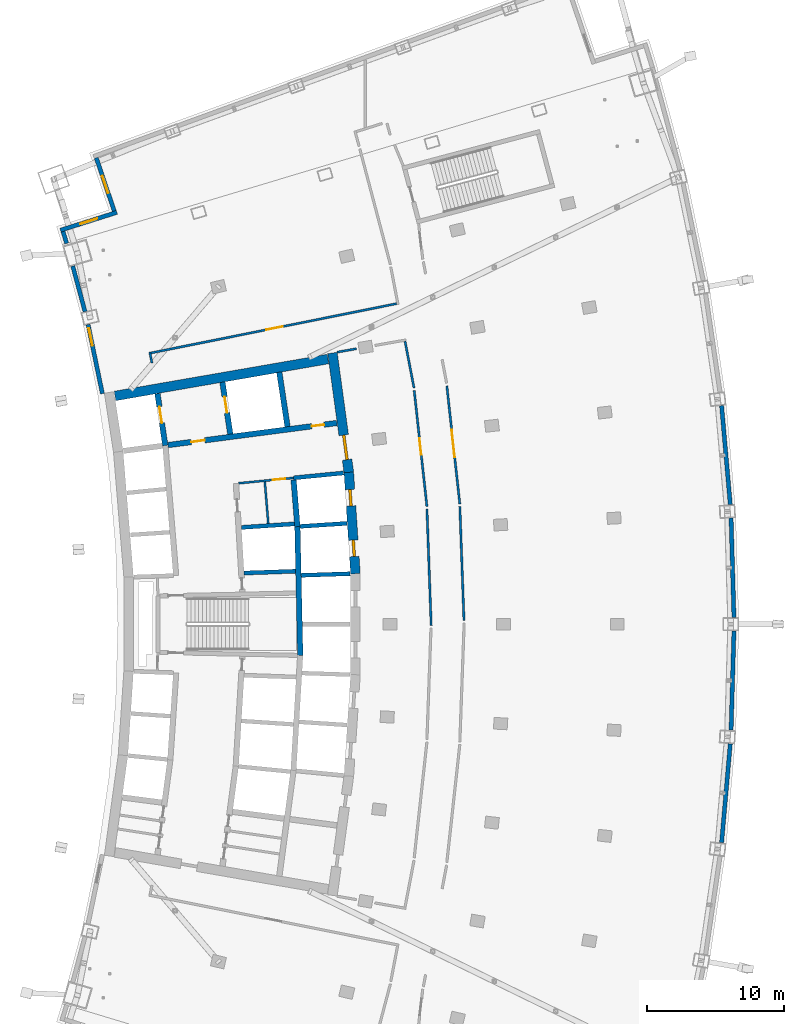
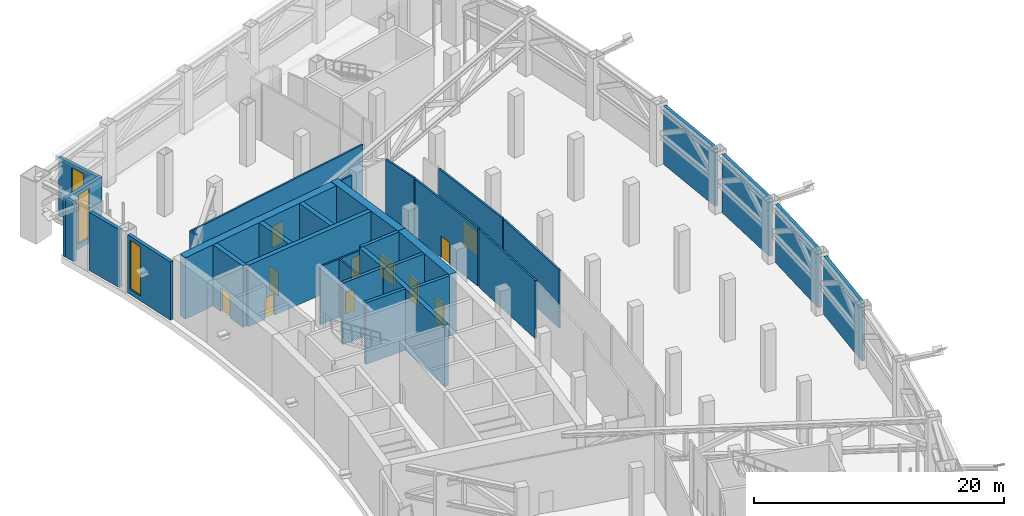
# One storey, part 18 of 26: 33 walls, 11 doors, 3 windows, 14 openings.
"""IFC4 building model written with IfcOpenShell, lengths in metres."""

from ifc_helpers import new_model, si_unit, direction, frame, frame_2d, origin, place, context, subcontext, project, spatial, rectangle, extrude, material, layer, layer_set, type_object, element, fill, save


model = new_model("IFC4")

# Units and contexts
model_context = context("Model", 3, precision=1e-05, world=origin(), true_north=direction((0.0, 1.0)))
body_context = subcontext(model_context, "Body", "Model", "MODEL_VIEW")
ifc_project = project(units=[si_unit("LENGTHUNIT", "METRE"), si_unit("AREAUNIT", "SQUARE_METRE"), si_unit("VOLUMEUNIT", "CUBIC_METRE"), si_unit("PLANEANGLEUNIT", "RADIAN"), si_unit("MASSUNIT", "GRAM", prefix="KILO")], contexts=[model_context])

# Site, building, storey
site_placement = place(None, origin())
site = spatial("IfcSite", under=ifc_project, at=site_placement, CompositionType="ELEMENT")
building_placement = place(site_placement, origin())
building = spatial("IfcBuilding", under=site, at=building_placement, Name="Alderwake Tower", CompositionType="ELEMENT")
storey_placement = place(building_placement, frame((0.0, 0.0, 132.800048828125)))
storey = spatial("IfcBuildingStorey", under=building, at=storey_placement, Name="L32", CompositionType="ELEMENT", Elevation=132.800048828125)

# Wall
ifc_material_1 = material(Name="Gypsum shaft wall system, rated")
ifc_layer_1 = layer(ifc_material_1, 0.14990234375)
ifc_layer_set_1 = layer_set([ifc_layer_1], Name="Core room partition 150")
wall_type_1 = type_object("IfcWallType", Name="Core room partition 150", PredefinedType="PARTITIONING", material=ifc_layer_set_1)
wall_1_placement = place(storey_placement, frame((26.94970703125, 68.3203125, 0.0), z_axis=(0.0, 0.0, 1.0), x_axis=(-0.082463525817, 0.996594083321, 0.0)))
element("IfcWall", 1, at=wall_1_placement, inside=storey, type_object=wall_type_1, Name="CW/L32/PA+107_+70", PredefinedType="PARTITIONING", context=body_context, shape_type="SweptSolid", body=[
    extrude(rectangle(XDim=3.055419921875, YDim=0.14990234375, at=frame_2d((1.52783203125, 0.0))), origin(), (0.0, 0.0, 1.0), 5.679931640625),
])

# Wall, opening, door
wall_2_placement = place(storey_placement, frame((28.780517578125, 71.644287109375, 0.0), z_axis=(0.0, 0.0, 1.0), x_axis=(-0.995250000627, -0.097352125046, 0.0)))
wall_2 = element("IfcWall", 2, at=wall_2_placement, inside=storey, type_object=wall_type_1, Name="CW/L32/PR+102_+86", PredefinedType="PARTITIONING", context=body_context, shape_type="SweptSolid", body=[
    extrude(rectangle(XDim=4.0, YDim=0.14990234375, at=frame_2d((2.0, 0.0))), origin(), (0.0, 0.0, 1.0), 5.679931640625),
])
opening_1_placement = place(wall_2_placement, frame((0.60009765625, 0.0, 0.0)))
opening_1 = element("IfcOpeningElement", 3, at=opening_1_placement, cuts=wall_2, Name="Opening C022", PredefinedType="OPENING", context=body_context, shape_type="SweptSolid", body=[
    extrude(rectangle(XDim=0.89990234375, YDim=2.10009765625, at=frame_2d((0.449951171875, 1.050048828125))), frame((0.0, 0.0849609375, 0.0), z_axis=(0.0, -1.0, 0.0), x_axis=(1.0, 0.0, 0.0)), (0.0, 0.0, 1.0), 0.169921875),
])
ifc_material_2 = material(Name="Painted steel leaf", Category="steel")
door_type_1 = type_object("IfcDoorType", Name="Core room door 900", OperationType="SINGLE_SWING_LEFT", PredefinedType="DOOR", material=ifc_material_2)
door_1_placement = place(opening_1_placement, origin())
door_1 = element("IfcDoor", 4, at=door_1_placement, inside=storey, type_object=door_type_1, Name="Room door", OperationType="SINGLE_SWING_RIGHT", OverallHeight=2.10009765625, OverallWidth=0.89990234375, PredefinedType="DOOR", context=body_context, shape_type="SweptSolid", body=[
    extrude(rectangle(XDim=0.89990234375, YDim=2.10009765625, at=frame_2d((0.449951171875, 1.050048828125))), frame((0.0, 0.02490234375, 0.0), z_axis=(0.0, -1.0, 0.0), x_axis=(1.0, 0.0, 0.0)), (0.0, 0.0, 1.0), 0.050048828125),
])
fill(opening_1, door_1)

# Wall, openings, doors
ifc_material_3 = material(Name="Concrete C70/85", Category="concrete")
ifc_layer_2 = layer(ifc_material_3, 0.699951171875)
ifc_layer_set_2 = layer_set([ifc_layer_2], Name="Core wall outer 700 C70-85")
wall_type_2 = type_object("IfcWallType", Name="Core wall outer 700 C70-85", PredefinedType="SHEAR", material=ifc_layer_set_2)
wall_3_placement = place(storey_placement, frame((33.291015625, 64.6728515625, 0.0), z_axis=(0.0, 0.0, 1.0), x_axis=(-0.065009096017, 0.99788467141, 0.0)))
wall_3 = element("IfcWall", 5, at=wall_3_placement, inside=storey, type_object=wall_type_2, Name="Core wall CW.010", PredefinedType="SHEAR", context=body_context, shape_type="SweptSolid", body=[
    extrude(rectangle(XDim=7.39453125, YDim=0.699951171875, at=frame_2d((3.697265625, 0.0))), origin(), (0.0, 0.0, 1.0), 6.0),
])
opening_2_placement = place(wall_3_placement, frame((1.25390625, 0.0, 0.0)))
opening_2 = element("IfcOpeningElement", 6, at=opening_2_placement, cuts=wall_3, Name="Opening LD-HP5", PredefinedType="OPENING", context=body_context, shape_type="SweptSolid", body=[
    extrude(rectangle(XDim=1.199951171875, YDim=2.300048828125, at=frame_2d((0.60009765625, 1.14990234375))), frame((0.0, 0.35986328125, 0.0), z_axis=(0.0, -1.0, 0.0), x_axis=(1.0, 0.0, 0.0)), (0.0, 0.0, 1.0), 0.719970703125),
])
opening_3_placement = place(wall_3_placement, frame((4.939208984375, 0.0, 0.0)))
opening_3 = element("IfcOpeningElement", 7, at=opening_3_placement, cuts=wall_3, Name="Opening LD-HP6", PredefinedType="OPENING", context=body_context, shape_type="SweptSolid", body=[
    extrude(rectangle(XDim=1.199951171875, YDim=2.300048828125, at=frame_2d((0.60009765625, 1.14990234375))), frame((0.0, 0.35986328125, 0.0), z_axis=(0.0, -1.0, 0.0), x_axis=(1.0, 0.0, 0.0)), (0.0, 0.0, 1.0), 0.719970703125),
])
ifc_material_4 = material(Name="Stainless steel sliding leaf", Category="steel")
door_type_2 = type_object("IfcDoorType", Name="Lift landing door 1200", OperationType="SLIDING_TO_LEFT", PredefinedType="DOOR", material=ifc_material_4)
door_2_placement = place(opening_2_placement, origin())
door_2 = element("IfcDoor", 8, at=door_2_placement, inside=storey, type_object=door_type_2, Name="Lift landing door HP5", OperationType="SLIDING_TO_LEFT", OverallHeight=2.300048828125, OverallWidth=1.199951171875, PredefinedType="DOOR", context=body_context, shape_type="SweptSolid", body=[
    extrude(rectangle(XDim=1.199951171875, YDim=2.300048828125, at=frame_2d((0.60009765625, 1.14990234375))), frame((0.0, 0.10009765625, 0.0), z_axis=(0.0, -1.0, 0.0), x_axis=(1.0, 0.0, 0.0)), (0.0, 0.0, 1.0), 0.199951171875),
])
fill(opening_2, door_2)
door_3_placement = place(opening_3_placement, origin())
door_3 = element("IfcDoor", 9, at=door_3_placement, inside=storey, type_object=door_type_2, Name="Lift landing door HP6", OperationType="SLIDING_TO_LEFT", OverallHeight=2.300048828125, OverallWidth=1.199951171875, PredefinedType="DOOR", context=body_context, shape_type="SweptSolid", body=[
    extrude(rectangle(XDim=1.199951171875, YDim=2.300048828125, at=frame_2d((0.60009765625, 1.14990234375))), frame((0.0, 0.10009765625, 0.0), z_axis=(0.0, -1.0, 0.0), x_axis=(1.0, 0.0, 0.0)), (0.0, 0.0, 1.0), 0.199951171875),
])
fill(opening_3, door_3)

# Wall, opening, door
wall_4_placement = place(storey_placement, frame((31.618896484375, 80.735107421875, 0.0), z_axis=(0.0, 0.0, 1.0), x_axis=(0.135835706655, -0.99073137671, 0.0)))
wall_4 = element("IfcWall", 10, at=wall_4_placement, inside=storey, type_object=wall_type_2, Name="Core wall CW.009", PredefinedType="SHEAR", context=body_context, shape_type="SweptSolid", body=[
    extrude(rectangle(XDim=8.790771484375, YDim=0.699951171875, at=frame_2d((4.3955078125, 0.0))), origin(), (0.0, 0.0, 1.0), 6.0),
])
opening_4_placement = place(wall_4_placement, frame((6.035888671875, 0.0, 0.0)))
opening_4 = element("IfcOpeningElement", 11, at=opening_4_placement, cuts=wall_4, Name="Opening C001", PredefinedType="OPENING", context=body_context, shape_type="SweptSolid", body=[
    extrude(rectangle(XDim=1.800048828125, YDim=2.10009765625, at=frame_2d((0.89990234375, 1.050048828125))), frame((0.0, 0.35986328125, 0.0), z_axis=(0.0, -1.0, 0.0), x_axis=(1.0, 0.0, 0.0)), (0.0, 0.0, 1.0), 0.719970703125),
])
ifc_material_5 = material(Name="Steel-framed fire door leaves", Category="steel")
door_type_3 = type_object("IfcDoorType", Name="Core double door 1800 fire-rated", OperationType="DOUBLE_DOOR_SINGLE_SWING", PredefinedType="DOOR", material=ifc_material_5)
door_4_placement = place(opening_4_placement, origin())
door_4 = element("IfcDoor", 12, at=door_4_placement, inside=storey, type_object=door_type_3, Name="Lobby double door", OperationType="DOUBLE_DOOR_SINGLE_SWING", OverallHeight=2.10009765625, OverallWidth=1.800048828125, PredefinedType="DOOR", context=body_context, shape_type="SweptSolid", body=[
    extrude(rectangle(XDim=1.800048828125, YDim=2.10009765625, at=frame_2d((0.89990234375, 1.050048828125))), frame((0.0, 0.10009765625, 0.0), z_axis=(0.0, -1.0, 0.0), x_axis=(1.0, 0.0, 0.0)), (0.0, 0.0, 1.0), 0.199951171875),
])
fill(opening_4, door_4)

# Walls
wall_5_placement = place(storey_placement, frame((15.79443359375, 77.606689453125, 0.0), z_axis=(0.0, 0.0, 1.0), x_axis=(0.985301369349, 0.170825090542, 0.0)))
element("IfcWall", 13, at=wall_5_placement, inside=storey, type_object=wall_type_2, Name="Core wall CW.055", PredefinedType="SHEAR", context=body_context, shape_type="SweptSolid", body=[
    extrude(rectangle(XDim=15.732421875, YDim=0.699951171875, at=frame_2d((7.8662109375, 0.0))), origin(), (0.0, 0.0, 1.0), 6.0),
])
ifc_material_6 = material(Name="Concrete C70/85", Category="concrete")
ifc_layer_3 = layer(ifc_material_6, 0.300048828125)
ifc_layer_set_3 = layer_set([ifc_layer_3], Name="Core wall shaft 300 C70-85")
wall_type_3 = type_object("IfcWallType", Name="Core wall shaft 300 C70-85", PredefinedType="SHEAR", material=ifc_layer_set_3)
wall_6_placement = place(storey_placement, frame((29.347412109375, 64.556396484375, 0.0), z_axis=(0.0, 0.0, 1.0), x_axis=(0.999470674121, 0.03253262319, 0.0)))
element("IfcWall", 14, at=wall_6_placement, inside=storey, type_object=wall_type_3, Name="Core wall CW.058", PredefinedType="SHEAR", context=body_context, shape_type="SweptSolid", body=[
    extrude(rectangle(XDim=3.564697265625, YDim=0.300048828125, at=frame_2d((1.7822265625, 0.0))), origin(), (0.0, 0.0, 1.0), 6.0),
])
wall_7_placement = place(storey_placement, frame((25.191162109375, 64.723388671875, 0.0), z_axis=(0.0, 0.0, 1.0), x_axis=(0.999373256208, 0.035399078746, 0.0)))
element("IfcWall", 15, at=wall_7_placement, inside=storey, type_object=wall_type_3, Name="Core wall CW.060", PredefinedType="SHEAR", context=body_context, shape_type="SweptSolid", body=[
    extrude(rectangle(XDim=3.751953125, YDim=0.300048828125, at=frame_2d((1.8759765625, 0.0))), origin(), (0.0, 0.0, 1.0), 6.0),
])
wall_8_placement = place(storey_placement, frame((29.268798828125, 68.115478515625, 0.0), z_axis=(0.0, 0.0, 1.0), x_axis=(0.997884450261, 0.065012490553, 0.0)))
element("IfcWall", 16, at=wall_8_placement, inside=storey, type_object=wall_type_3, Name="Core wall CW.061", PredefinedType="SHEAR", context=body_context, shape_type="SweptSolid", body=[
    extrude(rectangle(XDim=3.409912109375, YDim=0.300048828125, at=frame_2d((1.705078125, 0.0))), origin(), (0.0, 0.0, 1.0), 6.0),
])
wall_9_placement = place(storey_placement, frame((24.992431640625, 68.038818359375, 0.0), z_axis=(0.0, 0.0, 1.0), x_axis=(0.997760236964, 0.066891774789, 0.0)))
element("IfcWall", 17, at=wall_9_placement, inside=storey, type_object=wall_type_3, Name="Core wall CW.063", PredefinedType="SHEAR", context=body_context, shape_type="SweptSolid", body=[
    extrude(rectangle(XDim=3.86865234375, YDim=0.300048828125, at=frame_2d((1.934326171875, 0.0))), origin(), (0.0, 0.0, 1.0), 6.0),
])
wall_10_placement = place(storey_placement, frame((28.780517578125, 71.644287109375, 0.0), z_axis=(0.0, 0.0, 1.0), x_axis=(0.995245736737, 0.097395705788, 0.0)))
element("IfcWall", 18, at=wall_10_placement, inside=storey, type_object=wall_type_3, Name="Core wall CW.049", PredefinedType="SHEAR", context=body_context, shape_type="SweptSolid", body=[
    extrude(rectangle(XDim=3.669677734375, YDim=0.300048828125, at=frame_2d((1.8349609375, 0.0))), origin(), (0.0, 0.0, 1.0), 6.0),
])

# Wall, opening, door
ifc_material_7 = material(Name="Concrete C70/85", Category="concrete")
ifc_layer_4 = layer(ifc_material_7, 0.39990234375)
ifc_layer_set_4 = layer_set([ifc_layer_4], Name="Core wall spine 400 C70-85")
wall_type_4 = type_object("IfcWallType", Name="Core wall spine 400 C70-85", PredefinedType="SHEAR", material=ifc_layer_set_4)
wall_11_placement = place(storey_placement, frame((19.4541015625, 74.000732421875, 0.0), z_axis=(0.0, 0.0, 1.0), x_axis=(-0.148540738889, 0.988906289236, 0.0)))
wall_11 = element("IfcWall", 19, at=wall_11_placement, inside=storey, type_object=wall_type_4, Name="Core wall CW.030", PredefinedType="SHEAR", context=body_context, shape_type="SweptSolid", body=[
    extrude(rectangle(XDim=3.814697265625, YDim=0.39990234375, at=frame_2d((1.9072265625, 0.0))), origin(), (0.0, 0.0, 1.0), 6.0),
])
opening_5_placement = place(wall_11_placement, frame((1.660888671875, 0.0, 0.0)))
opening_5 = element("IfcOpeningElement", 20, at=opening_5_placement, cuts=wall_11, Name="Opening LD-FF1", PredefinedType="OPENING", context=body_context, shape_type="SweptSolid", body=[
    extrude(rectangle(XDim=1.199951171875, YDim=2.300048828125, at=frame_2d((0.60009765625, 1.14990234375))), frame((0.0, 0.2099609375, 0.0), z_axis=(0.0, -1.0, 0.0), x_axis=(1.0, 0.0, 0.0)), (0.0, 0.0, 1.0), 0.419921875),
])
door_5_placement = place(opening_5_placement, origin())
door_5 = element("IfcDoor", 21, at=door_5_placement, inside=storey, type_object=door_type_2, Name="Lift landing door FF1", OperationType="SLIDING_TO_LEFT", OverallHeight=2.300048828125, OverallWidth=1.199951171875, PredefinedType="DOOR", context=body_context, shape_type="SweptSolid", body=[
    extrude(rectangle(XDim=1.199951171875, YDim=2.300048828125, at=frame_2d((0.60009765625, 1.14990234375))), frame((0.0, 0.02490234375, 0.0), z_axis=(0.0, -1.0, 0.0), x_axis=(1.0, 0.0, 0.0)), (0.0, 0.0, 1.0), 0.050048828125),
])
fill(opening_5, door_5)

wall_12_placement = place(storey_placement, frame((24.186279296875, 74.82861328125, 0.0), z_axis=(0.0, 0.0, 1.0), x_axis=(-0.149604879253, 0.988745862243, 0.0)))
wall_12 = element("IfcWall", 22, at=wall_12_placement, inside=storey, type_object=wall_type_4, Name="Core wall CW.044", PredefinedType="SHEAR", context=body_context, shape_type="SweptSolid", body=[
    extrude(rectangle(XDim=3.823486328125, YDim=0.39990234375, at=frame_2d((1.91162109375, 0.0))), origin(), (0.0, 0.0, 1.0), 6.0),
])
opening_6_placement = place(wall_12_placement, frame((1.561767578125, 0.0, 0.0)))
opening_6 = element("IfcOpeningElement", 23, at=opening_6_placement, cuts=wall_12, Name="Opening LD-FF2", PredefinedType="OPENING", context=body_context, shape_type="SweptSolid", body=[
    extrude(rectangle(XDim=1.199951171875, YDim=2.300048828125, at=frame_2d((0.60009765625, 1.14990234375))), frame((0.0, 0.2099609375, 0.0), z_axis=(0.0, -1.0, 0.0), x_axis=(1.0, 0.0, 0.0)), (0.0, 0.0, 1.0), 0.419921875),
])
door_6_placement = place(opening_6_placement, origin())
door_6 = element("IfcDoor", 24, at=door_6_placement, inside=storey, type_object=door_type_2, Name="Lift landing door FF2", OperationType="SLIDING_TO_LEFT", OverallHeight=2.300048828125, OverallWidth=1.199951171875, PredefinedType="DOOR", context=body_context, shape_type="SweptSolid", body=[
    extrude(rectangle(XDim=1.199951171875, YDim=2.300048828125, at=frame_2d((0.60009765625, 1.14990234375))), frame((0.0, 0.02490234375, 0.0), z_axis=(0.0, -1.0, 0.0), x_axis=(1.0, 0.0, 0.0)), (0.0, 0.0, 1.0), 0.050048828125),
])
fill(opening_6, door_6)

# Walls
wall_13_placement = place(storey_placement, frame((29.276611328125, 58.71826171875, 0.0), z_axis=(0.0, 0.0, 1.0), x_axis=(-0.022119171053, 0.999755341207, 0.0)))
element("IfcWall", 25, at=wall_13_placement, inside=storey, type_object=wall_type_4, Name="Core wall CW.007", PredefinedType="SHEAR", context=body_context, shape_type="SweptSolid", body=[
    extrude(rectangle(XDim=9.392822265625, YDim=0.39990234375, at=frame_2d((4.6962890625, 0.0))), origin(), (0.0, 0.0, 1.0), 6.0),
])
wall_14_placement = place(storey_placement, frame((29.069580078125, 68.09619140625, 0.0), z_axis=(0.0, 0.0, 1.0), x_axis=(-0.080544811251, 0.996750988653, 0.0)))
element("IfcWall", 26, at=wall_14_placement, inside=storey, type_object=wall_type_4, Name="Core wall CW.003", PredefinedType="SHEAR", context=body_context, shape_type="SweptSolid", body=[
    extrude(rectangle(XDim=3.409912109375, YDim=0.39990234375, at=frame_2d((1.705078125, 0.0))), origin(), (0.0, 0.0, 1.0), 6.0),
])
wall_15_placement = place(storey_placement, frame((28.350830078125, 75.373291015625, 0.0), z_axis=(0.0, 0.0, 1.0), x_axis=(-0.149688214264, 0.988733249421, 0.0)))
element("IfcWall", 27, at=wall_15_placement, inside=storey, type_object=wall_type_4, Name="Core wall CW.001", PredefinedType="SHEAR", context=body_context, shape_type="SweptSolid", body=[
    extrude(rectangle(XDim=4.01220703125, YDim=0.39990234375, at=frame_2d((2.006103515625, 0.0))), origin(), (0.0, 0.0, 1.0), 6.0),
])

# Wall, openings, doors
wall_16_placement = place(storey_placement, frame((31.933837890625, 75.64013671875, 0.0), z_axis=(0.0, 0.0, 1.0), x_axis=(-0.991554628634, -0.129689700573, 0.0)))
wall_16 = element("IfcWall", 28, at=wall_16_placement, inside=storey, type_object=wall_type_4, Name="Core wall CW.052", PredefinedType="SHEAR", context=body_context, shape_type="SweptSolid", body=[
    extrude(rectangle(XDim=12.38671875, YDim=0.39990234375, at=frame_2d((6.193359375, 0.0))), origin(), (0.0, 0.0, 1.0), 6.0),
])
opening_7_placement = place(wall_16_placement, frame((9.687255859375, 0.0, 0.0)))
opening_7 = element("IfcOpeningElement", 29, at=opening_7_placement, cuts=wall_16, Name="Opening C002", PredefinedType="OPENING", context=body_context, shape_type="SweptSolid", body=[
    extrude(rectangle(XDim=1.0, YDim=2.10009765625, at=frame_2d((0.5, 1.050048828125))), frame((0.0, 0.2099609375, 0.0), z_axis=(0.0, -1.0, 0.0), x_axis=(1.0, 0.0, 0.0)), (0.0, 0.0, 1.0), 0.419921875),
])
opening_8_placement = place(wall_16_placement, frame((0.937255859375, 0.0, 0.0)))
opening_8 = element("IfcOpeningElement", 30, at=opening_8_placement, cuts=wall_16, Name="Opening C020", PredefinedType="OPENING", context=body_context, shape_type="SweptSolid", body=[
    extrude(rectangle(XDim=0.89990234375, YDim=2.10009765625, at=frame_2d((0.449951171875, 1.050048828125))), frame((0.0, 0.2099609375, 0.0), z_axis=(0.0, -1.0, 0.0), x_axis=(1.0, 0.0, 0.0)), (0.0, 0.0, 1.0), 0.419921875),
])
door_7_placement = place(opening_8_placement, origin())
door_7 = element("IfcDoor", 31, at=door_7_placement, inside=storey, type_object=door_type_1, Name="Room door", OperationType="SINGLE_SWING_LEFT", OverallHeight=2.10009765625, OverallWidth=0.89990234375, PredefinedType="DOOR", context=body_context, shape_type="SweptSolid", body=[
    extrude(rectangle(XDim=0.89990234375, YDim=2.10009765625, at=frame_2d((0.449951171875, 1.050048828125))), frame((0.0, 0.02490234375, 0.0), z_axis=(0.0, -1.0, 0.0), x_axis=(1.0, 0.0, 0.0)), (0.0, 0.0, 1.0), 0.050048828125),
])
fill(opening_8, door_7)
ifc_material_8 = material(Name="Steel-framed fire door leaf", Category="steel")
door_type_4 = type_object("IfcDoorType", Name="Firefighting lobby door 1000 fire-rated", OperationType="SINGLE_SWING_LEFT", PredefinedType="DOOR", material=ifc_material_8)
door_8_placement = place(opening_7_placement, origin())
door_8 = element("IfcDoor", 32, at=door_8_placement, inside=storey, type_object=door_type_4, Name="Firefighting lobby door", OperationType="SINGLE_SWING_RIGHT", OverallHeight=2.10009765625, OverallWidth=1.0, PredefinedType="DOOR", context=body_context, shape_type="SweptSolid", body=[
    extrude(rectangle(XDim=1.0, YDim=2.10009765625, at=frame_2d((0.5, 1.050048828125))), frame((0.0, 0.02490234375, 0.0), z_axis=(0.0, -1.0, 0.0), x_axis=(1.0, 0.0, 0.0)), (0.0, 0.0, 1.0), 0.050048828125),
])
fill(opening_7, door_8)

# Walls
ifc_material_9 = material(Name="Gypsum board on metal studs, rated")
ifc_layer_5 = layer(ifc_material_9, 0.159912109375)
ifc_layer_set_5 = layer_set([ifc_layer_5], Name="Corridor wall 160")
wall_type_5 = type_object("IfcWallType", Name="Corridor wall 160", PredefinedType="PARTITIONING", material=ifc_layer_set_5)
wall_17_placement = place(storey_placement, frame((18.32666015625, 80.802490234375, 0.0), z_axis=(0.0, 0.0, 1.0), x_axis=(0.191341767501, -0.981523472979, 0.0)))
element("IfcWall", 33, at=wall_17_placement, inside=storey, type_object=wall_type_5, Name="WL/L32/W05", PredefinedType="PARTITIONING", context=body_context, shape_type="SweptSolid", body=[
    extrude(rectangle(XDim=0.816650390625, YDim=0.159912109375, at=frame_2d((0.408203125, 0.0))), origin(), (0.0, 0.0, 1.0), 5.679931640625),
])
wall_18_placement = place(storey_placement, frame((31.9619140625, 80.7958984375, 0.0), z_axis=(0.0, 0.0, 1.0), x_axis=(0.984721256589, 0.174138010844, 0.0)))
element("IfcWall", 34, at=wall_18_placement, inside=storey, type_object=wall_type_5, Name="WL/L32/W07", PredefinedType="PARTITIONING", context=body_context, shape_type="SweptSolid", body=[
    extrude(rectangle(XDim=1.421630859375, YDim=0.159912109375, at=frame_2d((0.7109375, 0.0))), origin(), (0.0, 0.0, 1.0), 5.679931640625),
])

# Wall, opening, door
wall_19_placement = place(storey_placement, frame((36.293701171875, 84.326416015625, 0.0), z_axis=(0.0, 0.0, 1.0), x_axis=(-0.98045375707, -0.196749663909, 0.0)))
wall_19 = element("IfcWall", 35, at=wall_19_placement, inside=storey, type_object=wall_type_5, Name="WL/L32/W21", PredefinedType="PARTITIONING", context=body_context, shape_type="SweptSolid", body=[
    extrude(rectangle(XDim=18.2294921875, YDim=0.159912109375, at=frame_2d((9.11474609375, 0.0))), origin(), (0.0, 0.0, 1.0), 5.679931640625),
])
opening_9_placement = place(wall_19_placement, frame((8.469482421875, 0.0, 0.0)))
opening_9 = element("IfcOpeningElement", 36, at=opening_9_placement, cuts=wall_19, Name="Opening L32-04", PredefinedType="OPENING", context=body_context, shape_type="SweptSolid", body=[
    extrude(rectangle(XDim=1.199951171875, YDim=2.10009765625, at=frame_2d((0.60009765625, 1.050048828125))), frame((0.0, 0.08984375, 0.0), z_axis=(0.0, -1.0, 0.0), x_axis=(1.0, 0.0, 0.0)), (0.0, 0.0, 1.0), 0.179931640625),
])
ifc_material_10 = material(Name="Steel door leaf in steel frame", Category="steel")
door_type_5 = type_object("IfcDoorType", Name="Plant room door 1200 steel", OperationType="SINGLE_SWING_LEFT", PredefinedType="DOOR", material=ifc_material_10)
door_9_placement = place(opening_9_placement, origin())
door_9 = element("IfcDoor", 37, at=door_9_placement, inside=storey, type_object=door_type_5, Name="DR/L32/04", OperationType="SINGLE_SWING_LEFT", OverallHeight=2.10009765625, OverallWidth=1.199951171875, PredefinedType="DOOR", context=body_context, shape_type="SweptSolid", body=[
    extrude(rectangle(XDim=1.199951171875, YDim=2.10009765625, at=frame_2d((0.60009765625, 1.050048828125))), frame((0.0, 0.02490234375, 0.0), z_axis=(0.0, -1.0, 0.0), x_axis=(1.0, 0.0, 0.0)), (0.0, 0.0, 1.0), 0.050048828125),
])
fill(opening_9, door_9)

# Wall
wall_20_placement = place(storey_placement, frame((36.900146484375, 81.58740234375, 0.0), z_axis=(0.0, 0.0, 1.0), x_axis=(0.188792504186, -0.982017001056, 0.0)))
element("IfcWall", 38, at=wall_20_placement, inside=storey, type_object=wall_type_5, Name="WL/L32/W25", PredefinedType="PARTITIONING", context=body_context, shape_type="SweptSolid", body=[
    extrude(rectangle(XDim=3.46435546875, YDim=0.159912109375, at=frame_2d((1.732177734375, 0.0))), origin(), (0.0, 0.0, 1.0), 5.679931640625),
])

# Wall, opening, door
wall_21_placement = place(storey_placement, frame((37.568115234375, 77.998779296875, 0.0), z_axis=(0.0, 0.0, 1.0), x_axis=(0.109093985414, -0.994031439315, 0.0)))
wall_21 = element("IfcWall", 39, at=wall_21_placement, inside=storey, type_object=wall_type_5, Name="WL/L32/W27", PredefinedType="PARTITIONING", context=body_context, shape_type="SweptSolid", body=[
    extrude(rectangle(XDim=8.474853515625, YDim=0.159912109375, at=frame_2d((4.2373046875, 0.0))), origin(), (0.0, 0.0, 1.0), 5.679931640625),
])
opening_10_placement = place(wall_21_placement, frame((3.483642578125, 0.0, 0.0)))
opening_10 = element("IfcOpeningElement", 40, at=opening_10_placement, cuts=wall_21, Name="Opening L32-06", PredefinedType="OPENING", context=body_context, shape_type="SweptSolid", body=[
    extrude(rectangle(XDim=1.199951171875, YDim=2.10009765625, at=frame_2d((0.60009765625, 1.050048828125))), frame((0.0, 0.08984375, 0.0), z_axis=(0.0, -1.0, 0.0), x_axis=(1.0, 0.0, 0.0)), (0.0, 0.0, 1.0), 0.179931640625),
])
door_10_placement = place(opening_10_placement, origin())
door_10 = element("IfcDoor", 41, at=door_10_placement, inside=storey, type_object=door_type_5, Name="DR/L32/06", OperationType="SINGLE_SWING_LEFT", OverallHeight=2.10009765625, OverallWidth=1.199951171875, PredefinedType="DOOR", context=body_context, shape_type="SweptSolid", body=[
    extrude(rectangle(XDim=1.199951171875, YDim=2.10009765625, at=frame_2d((0.60009765625, 1.050048828125))), frame((0.0, 0.02490234375, 0.0), z_axis=(0.0, -1.0, 0.0), x_axis=(1.0, 0.0, 0.0)), (0.0, 0.0, 1.0), 0.050048828125),
])
fill(opening_10, door_10)

# Wall
wall_22_placement = place(storey_placement, frame((38.49365234375, 69.387451171875, 0.0), z_axis=(0.0, 0.0, 1.0), x_axis=(0.036388270482, -0.999337727583, 0.0)))
element("IfcWall", 42, at=wall_22_placement, inside=storey, type_object=wall_type_5, Name="WL/L32/W34", PredefinedType="PARTITIONING", context=body_context, shape_type="SweptSolid", body=[
    extrude(rectangle(XDim=8.473876953125, YDim=0.159912109375, at=frame_2d((4.23681640625, 0.0))), origin(), (0.0, 0.0, 1.0), 5.679931640625),
])

# Wall, opening, door
wall_23_placement = place(storey_placement, frame((40.88671875, 69.75146484375, 0.0), z_axis=(0.0, 0.0, 1.0), x_axis=(-0.109346895136, 0.994003650156, 0.0)))
wall_23 = element("IfcWall", 43, at=wall_23_placement, inside=storey, type_object=wall_type_5, Name="WL/L32/W40", PredefinedType="PARTITIONING", context=body_context, shape_type="SweptSolid", body=[
    extrude(rectangle(XDim=8.647216796875, YDim=0.159912109375, at=frame_2d((4.32373046875, 0.0))), origin(), (0.0, 0.0, 1.0), 5.679931640625),
])
opening_11_placement = place(wall_23_placement, frame((3.4287109375, 0.0, 0.0)))
opening_11 = element("IfcOpeningElement", 44, at=opening_11_placement, cuts=wall_23, Name="Opening L32-05", PredefinedType="OPENING", context=body_context, shape_type="SweptSolid", body=[
    extrude(rectangle(XDim=2.0, YDim=2.39990234375, at=frame_2d((1.0, 1.199951171875))), frame((0.0, 0.08984375, 0.0), z_axis=(0.0, -1.0, 0.0), x_axis=(1.0, 0.0, 0.0)), (0.0, 0.0, 1.0), 0.179931640625),
])
ifc_material_11 = material(Name="Timber leaves with glazed panels", Category="wood")
door_type_6 = type_object("IfcDoorType", Name="Hall double door 2000", OperationType="DOUBLE_DOOR_SINGLE_SWING", PredefinedType="DOOR", material=ifc_material_11)
door_11_placement = place(opening_11_placement, origin())
door_11 = element("IfcDoor", 45, at=door_11_placement, inside=storey, type_object=door_type_6, Name="DR/L32/05", OperationType="DOUBLE_DOOR_SINGLE_SWING", OverallHeight=2.39990234375, OverallWidth=2.0, PredefinedType="DOOR", context=body_context, shape_type="SweptSolid", body=[
    extrude(rectangle(XDim=2.0, YDim=2.39990234375, at=frame_2d((1.0, 1.199951171875))), frame((0.0, 0.02490234375, 0.0), z_axis=(0.0, -1.0, 0.0), x_axis=(1.0, 0.0, 0.0)), (0.0, 0.0, 1.0), 0.050048828125),
])
fill(opening_11, door_11)

# Walls
wall_24_placement = place(storey_placement, frame((41.189208984375, 61.265380859375, 0.0), z_axis=(0.0, 0.0, 1.0), x_axis=(-0.036307055619, 0.999340681506, 0.0)))
element("IfcWall", 46, at=wall_24_placement, inside=storey, type_object=wall_type_5, Name="WL/L32/W41", PredefinedType="PARTITIONING", context=body_context, shape_type="SweptSolid", body=[
    extrude(rectangle(XDim=8.304443359375, YDim=0.159912109375, at=frame_2d((4.15234375, 0.0))), origin(), (0.0, 0.0, 1.0), 5.679931640625),
])
ifc_material_12 = material(Name="Bronze metal cladding on lightweight framing")
ifc_layer_6 = layer(ifc_material_12, 0.300048828125)
ifc_layer_set_6 = layer_set([ifc_layer_6], Name="External wall EW3 plant enclosure")
wall_type_6 = type_object("IfcWallType", Name="External wall EW3 plant enclosure", PredefinedType="SOLIDWALL", material=ifc_layer_set_6)
wall_25_placement = place(storey_placement, frame((59.93603515625, 45.101806640625, 0.0), z_axis=(0.0, 0.0, 1.0), x_axis=(0.087409071473, 0.996172502243, 0.0)))
element("IfcWall", 47, at=wall_25_placement, inside=storey, type_object=wall_type_6, Name="External wall 15", PredefinedType="SOLIDWALL", context=body_context, shape_type="SweptSolid", body=[
    extrude(rectangle(XDim=7.21728515625, YDim=0.300048828125, at=frame_2d((3.608642578125, 0.0))), origin(), (0.0, 0.0, 1.0), 5.679931640625),
])
for number, where, z_axis, x_axis, name in (
    (48, (60.625, 53.287109375, 0.0), (0.0, 0.0, 1.0), (0.029158493341, 0.999574800736, 0.0), "External wall 16"),
    (49, (60.83544921875, 61.49853515625, 0.0), (0.0, 0.0, 1.0), (-0.029158493341, 0.999574800736, 0.0), "External wall 17"),
):
    element("IfcWall", number, at=place(storey_placement, frame(where, z_axis=z_axis, x_axis=x_axis)), inside=storey, type_object=wall_type_6, Name=name, PredefinedType="SOLIDWALL", context=body_context, shape_type="SweptSolid", body=[
        extrude(rectangle(XDim=7.217529296875, YDim=0.300048828125, at=frame_2d((3.60888671875, 0.0))), origin(), (0.0, 0.0, 1.0), 5.679931640625),
    ])
wall_26_placement = place(storey_placement, frame((60.56689453125, 69.70849609375, 0.0), z_axis=(0.0, 0.0, 1.0), x_axis=(-0.087409071473, 0.996172502243, 0.0)))
element("IfcWall", 50, at=wall_26_placement, inside=storey, type_object=wall_type_6, Name="External wall 18", PredefinedType="SOLIDWALL", context=body_context, shape_type="SweptSolid", body=[
    extrude(rectangle(XDim=7.21728515625, YDim=0.300048828125, at=frame_2d((3.608642578125, 0.0))), origin(), (0.0, 0.0, 1.0), 5.679931640625),
])

# Wall, opening, window
wall_27_placement = place(storey_placement, frame((14.430908203125, 94.937744140625, 0.0), z_axis=(0.0, 0.0, 1.0), x_axis=(0.320379458656, -0.947289291859, 0.0)))
wall_27 = element("IfcWall", 51, at=wall_27_placement, inside=storey, type_object=wall_type_6, Name="External wall 30", PredefinedType="SOLIDWALL", context=body_context, shape_type="SweptSolid", body=[
    extrude(rectangle(XDim=4.08984375, YDim=0.300048828125, at=frame_2d((2.044921875, 0.0))), origin(), (0.0, 0.0, 1.0), 5.679931640625),
])
opening_12_placement = place(wall_27_placement, frame((1.39501953125, 0.0, 0.5)))
opening_12 = element("IfcOpeningElement", 52, at=opening_12_placement, cuts=wall_27, Name="Opening LV1", PredefinedType="OPENING", context=body_context, shape_type="SweptSolid", body=[
    extrude(rectangle(XDim=1.300048828125, YDim=4.800048828125, at=frame_2d((0.64990234375, 2.39990234375))), frame((0.0, 0.159912109375, 0.0), z_axis=(0.0, -1.0, 0.0), x_axis=(1.0, 0.0, 0.0)), (0.0, 0.0, 1.0), 0.320068359375),
])
ifc_material_13 = material(Name="Bronze anodised aluminium louvre", Category="aluminium")
window_type = type_object("IfcWindowType", Name="Louvre LV1 plant floor", PartitioningType="SINGLE_PANEL", PredefinedType="USERDEFINED", material=ifc_material_13)
window_1_placement = place(opening_12_placement, origin())
window_1 = element("IfcWindow", 53, at=window_1_placement, inside=storey, type_object=window_type, Name="Louvre LV1 plant floor", ObjectType="LOUVRE", OverallHeight=4.800048828125, OverallWidth=1.300048828125, PartitioningType="SINGLE_PANEL", PredefinedType="USERDEFINED", context=body_context, shape_type="SweptSolid", body=[
    extrude(rectangle(XDim=1.300048828125, YDim=4.800048828125, at=frame_2d((0.64990234375, 2.39990234375))), frame((0.0, 0.030029296875, 0.0), z_axis=(0.0, -1.0, 0.0), x_axis=(1.0, 0.0, 0.0)), (0.0, 0.0, 1.0), 0.06005859375),
])
fill(opening_12, window_1)

wall_28_placement = place(storey_placement, frame((15.932373046875, 90.966552734375, 0.0), z_axis=(0.0, 0.0, 1.0), x_axis=(-0.953473772386, -0.301475978103, 0.0)))
wall_28 = element("IfcWall", 54, at=wall_28_placement, inside=storey, type_object=wall_type_6, Name="External wall 31", PredefinedType="SOLIDWALL", context=body_context, shape_type="SweptSolid", body=[
    extrude(rectangle(XDim=4.305908203125, YDim=0.300048828125, at=frame_2d((2.15283203125, 0.0))), origin(), (0.0, 0.0, 1.0), 5.679931640625),
])
opening_13_placement = place(wall_28_placement, frame((1.5029296875, 0.0, 0.5)))
opening_13 = element("IfcOpeningElement", 55, at=opening_13_placement, cuts=wall_28, Name="Opening LV1", PredefinedType="OPENING", context=body_context, shape_type="SweptSolid", body=[
    extrude(rectangle(XDim=1.300048828125, YDim=4.800048828125, at=frame_2d((0.64990234375, 2.39990234375))), frame((0.0, 0.159912109375, 0.0), z_axis=(0.0, -1.0, 0.0), x_axis=(1.0, 0.0, 0.0)), (0.0, 0.0, 1.0), 0.320068359375),
])
window_2_placement = place(opening_13_placement, origin())
window_2 = element("IfcWindow", 56, at=window_2_placement, inside=storey, type_object=window_type, Name="Louvre LV1 plant floor", ObjectType="LOUVRE", OverallHeight=4.800048828125, OverallWidth=1.300048828125, PartitioningType="SINGLE_PANEL", PredefinedType="USERDEFINED", context=body_context, shape_type="SweptSolid", body=[
    extrude(rectangle(XDim=1.300048828125, YDim=4.800048828125, at=frame_2d((0.64990234375, 2.39990234375))), frame((0.0, 0.030029296875, 0.0), z_axis=(0.0, -1.0, 0.0), x_axis=(1.0, 0.0, 0.0)), (0.0, 0.0, 1.0), 0.06005859375),
])
fill(opening_13, window_2)

# Walls
wall_29_placement = place(storey_placement, frame((12.01416015625, 89.5703125, 0.0), z_axis=(0.0, 0.0, 1.0), x_axis=(0.294692621216, -0.955592098649, 0.0)))
element("IfcWall", 57, at=wall_29_placement, inside=storey, type_object=wall_type_6, Name="External wall 32", PredefinedType="SOLIDWALL", context=body_context, shape_type="SweptSolid", body=[
    extrude(rectangle(XDim=0.90478515625, YDim=0.300048828125, at=frame_2d((0.452392578125, 0.0))), origin(), (0.0, 0.0, 1.0), 5.679931640625),
])
wall_30_placement = place(storey_placement, frame((12.722900390625, 87.0595703125, 0.0), z_axis=(0.0, 0.0, 1.0), x_axis=(0.259491177984, -0.96574547814, 0.0)))
element("IfcWall", 58, at=wall_30_placement, inside=storey, type_object=wall_type_6, Name="External wall 33", PredefinedType="SOLIDWALL", context=body_context, shape_type="SweptSolid", body=[
    extrude(rectangle(XDim=3.43115234375, YDim=0.300048828125, at=frame_2d((1.715576171875, 0.0))), origin(), (0.0, 0.0, 1.0), 5.679931640625),
])

# Wall, opening, window
wall_31_placement = place(storey_placement, frame((13.83740234375, 82.803955078125, 0.0), z_axis=(0.0, 0.0, 1.0), x_axis=(0.202723539143, -0.979236011734, 0.0)))
wall_31 = element("IfcWall", 59, at=wall_31_placement, inside=storey, type_object=wall_type_6, Name="External wall 34", PredefinedType="SOLIDWALL", context=body_context, shape_type="SweptSolid", body=[
    extrude(rectangle(XDim=5.134033203125, YDim=0.300048828125, at=frame_2d((2.56689453125, 0.0))), origin(), (0.0, 0.0, 1.0), 5.679931640625),
])
opening_14_placement = place(wall_31_placement, frame((0.264892578125, 0.0, 0.5)))
opening_14 = element("IfcOpeningElement", 60, at=opening_14_placement, cuts=wall_31, Name="Opening LV1", PredefinedType="OPENING", context=body_context, shape_type="SweptSolid", body=[
    extrude(rectangle(XDim=1.300048828125, YDim=4.800048828125, at=frame_2d((0.64990234375, 2.39990234375))), frame((0.0, 0.159912109375, 0.0), z_axis=(0.0, -1.0, 0.0), x_axis=(1.0, 0.0, 0.0)), (0.0, 0.0, 1.0), 0.320068359375),
])
window_3_placement = place(opening_14_placement, origin())
window_3 = element("IfcWindow", 61, at=window_3_placement, inside=storey, type_object=window_type, Name="Louvre LV1 plant floor", ObjectType="LOUVRE", OverallHeight=4.800048828125, OverallWidth=1.300048828125, PartitioningType="SINGLE_PANEL", PredefinedType="USERDEFINED", context=body_context, shape_type="SweptSolid", body=[
    extrude(rectangle(XDim=1.300048828125, YDim=4.800048828125, at=frame_2d((0.64990234375, 2.39990234375))), frame((0.0, 0.030029296875, 0.0), z_axis=(0.0, -1.0, 0.0), x_axis=(1.0, 0.0, 0.0)), (0.0, 0.0, 1.0), 0.06005859375),
])
fill(opening_14, window_3)

save(model, "model.ifc")
